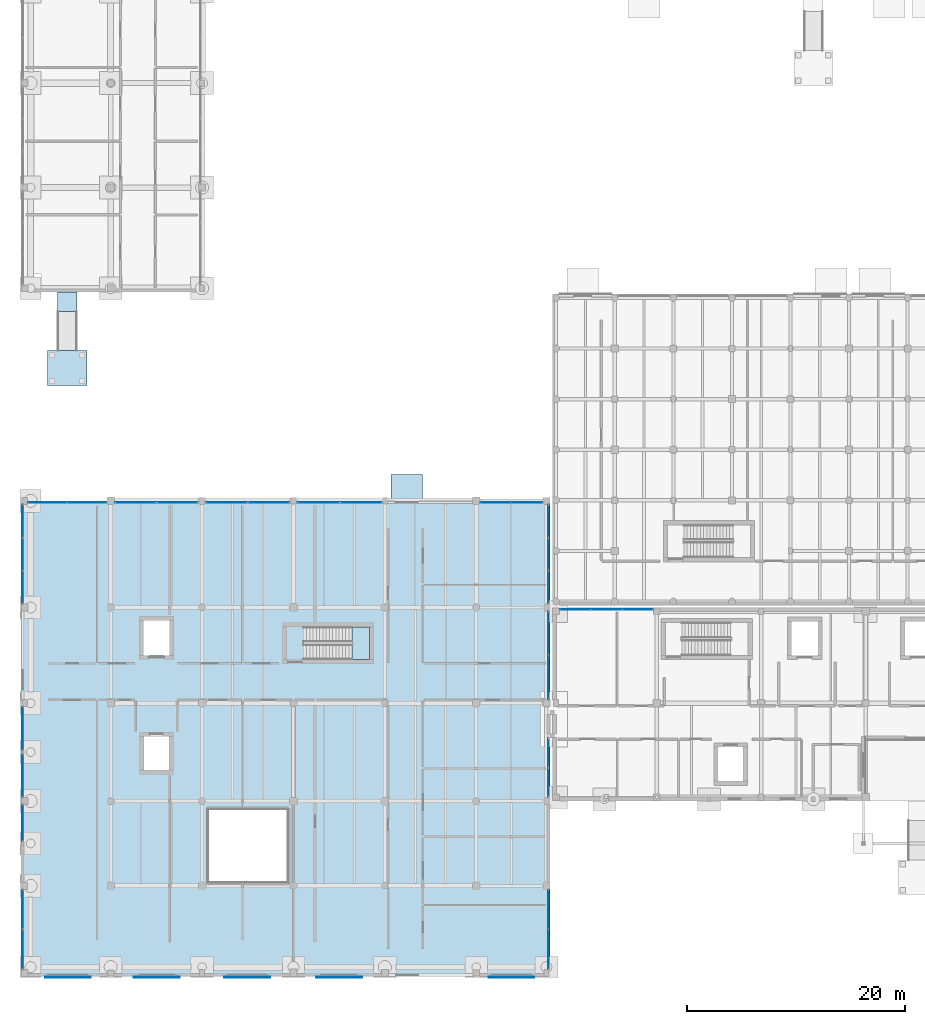
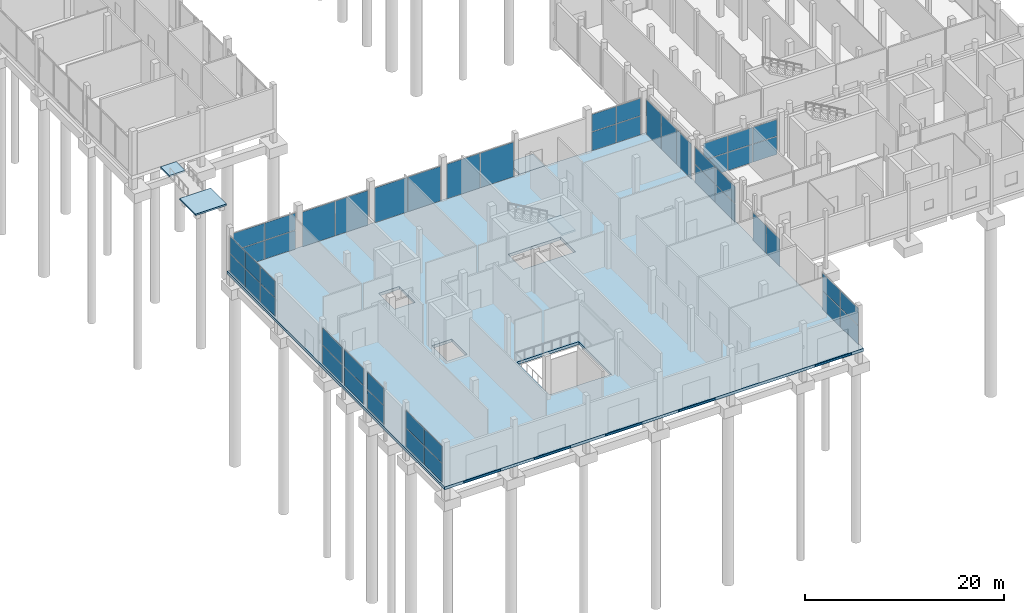
# One storey, part 48 of 88: 49 plates, 10 slabs, 17 elements without a shape of their own.
"""IFC4 building model written with IfcOpenShell, lengths in metres."""

from ifc_helpers import new_model, si_unit, direction, frame, origin, origin_2d, place, context, subcontext, project, spatial, polyline, rectangle, outline, extrude, material, layer, layer_set, type_object, element, aggregate, save


model = new_model("IFC4")

# Units and contexts
model_context = context("Model", 3, precision=1e-05, world=origin(), true_north=direction((0.0, 1.0)))
body_context = subcontext(model_context, "Body", "Model", "MODEL_VIEW")
ifc_project = project(units=[si_unit("LENGTHUNIT", "METRE"), si_unit("AREAUNIT", "SQUARE_METRE"), si_unit("VOLUMEUNIT", "CUBIC_METRE"), si_unit("PLANEANGLEUNIT", "RADIAN"), si_unit("MASSUNIT", "GRAM", prefix="KILO")], contexts=[model_context])

# Site, building, storey
site_placement = place(None, origin())
site = spatial("IfcSite", under=ifc_project, at=site_placement, CompositionType="ELEMENT")
building_placement = place(site_placement, origin())
building = spatial("IfcBuilding", under=site, at=building_placement, Name="Birchvale Park Specialist Clinic", CompositionType="ELEMENT")
storey_placement = place(building_placement, origin())
storey = spatial("IfcBuildingStorey", under=building, at=storey_placement, Name="L00", CompositionType="ELEMENT", Elevation=0.0)

# Curtain wall, plates
ifc_material_1 = material(Name="Thermally broken anodised aluminium", Category="aluminium")
ifc_layer_1 = layer(ifc_material_1, 0.179931640625)
ifc_layer_set_1 = layer_set([ifc_layer_1], Name="Thermally broken anodised aluminium")
curtain_wall_type_1 = type_object("IfcCurtainWallType", Name="CW-U1", PredefinedType="USERDEFINED", material=ifc_layer_set_1)
curtain_wall_1_placement = place(storey_placement, origin())
curtain_wall_1 = element("IfcCurtainWall", 1, at=curtain_wall_1_placement, inside=storey, type_object=curtain_wall_type_1, Name="V4 L00 glazed curtain wall 45", ObjectType="UNITISED", PredefinedType="USERDEFINED")
ifc_material_2 = material(Name="Solar-control low-E double glazing", Category="glass")
ifc_layer_2 = layer(ifc_material_2, 0.028076171875)
ifc_layer_set_2 = layer_set([ifc_layer_2], Name="Solar-control low-E double glazing")
plate_type_1 = type_object("IfcPlateType", Name="CWP1", PredefinedType="CURTAIN_PANEL", material=ifc_layer_set_2)
plate_1_placement = place(storey_placement, frame((59.654052734375, 34.409912109375, 0.06005859375), z_axis=(0.0, 0.0, 1.0), x_axis=(-1.0, 0.0, 0.0)))
plate_1 = element("IfcPlate", 2, at=plate_1_placement, type_object=plate_type_1, Name="CW panel 1.1", PredefinedType="CURTAIN_PANEL", context=body_context, shape_type="SweptSolid", body=[
    extrude(rectangle(XDim=2.791748046875, YDim=0.028076171875, at=origin_2d()), origin(), (0.0, 0.0, 1.0), 2.205810546875),
])
plate_2_placement = place(storey_placement, frame((59.654052734375, 34.409912109375, 2.32568359375), z_axis=(0.0, 0.0, 1.0), x_axis=(-1.0, 0.0, 0.0)))
plate_2 = element("IfcPlate", 3, at=plate_2_placement, type_object=plate_type_1, Name="CW panel 1.2", PredefinedType="CURTAIN_PANEL", context=body_context, shape_type="SweptSolid", body=[
    extrude(rectangle(XDim=2.791748046875, YDim=0.028076171875, at=origin_2d()), origin(), (0.0, 0.0, 1.0), 2.029296875),
])
plate_3_placement = place(storey_placement, frame((56.78759765625, 34.409912109375, 0.06005859375), z_axis=(0.0, 0.0, 1.0), x_axis=(-1.0, 0.0, 0.0)))
plate_3 = element("IfcPlate", 4, at=plate_3_placement, type_object=plate_type_1, Name="CW panel 2.1", PredefinedType="CURTAIN_PANEL", context=body_context, shape_type="SweptSolid", body=[
    extrude(rectangle(XDim=2.82177734375, YDim=0.028076171875, at=origin_2d()), origin(), (0.0, 0.0, 1.0), 2.205810546875),
])
plate_4_placement = place(storey_placement, frame((56.78759765625, 34.409912109375, 2.32568359375), z_axis=(0.0, 0.0, 1.0), x_axis=(-1.0, 0.0, 0.0)))
plate_4 = element("IfcPlate", 5, at=plate_4_placement, type_object=plate_type_1, Name="CW panel 2.2", PredefinedType="CURTAIN_PANEL", context=body_context, shape_type="SweptSolid", body=[
    extrude(rectangle(XDim=2.82177734375, YDim=0.028076171875, at=origin_2d()), origin(), (0.0, 0.0, 1.0), 2.029296875),
])
plate_5_placement = place(storey_placement, frame((53.9208984375, 34.409912109375, 0.06005859375), z_axis=(0.0, 0.0, 1.0), x_axis=(-1.0, 0.0, 0.0)))
plate_5 = element("IfcPlate", 6, at=plate_5_placement, type_object=plate_type_1, Name="CW panel 3.1", PredefinedType="CURTAIN_PANEL", context=body_context, shape_type="SweptSolid", body=[
    extrude(rectangle(XDim=2.791748046875, YDim=0.028076171875, at=origin_2d()), origin(), (0.0, 0.0, 1.0), 2.205810546875),
])
plate_6_placement = place(storey_placement, frame((53.9208984375, 34.409912109375, 2.32568359375), z_axis=(0.0, 0.0, 1.0), x_axis=(-1.0, 0.0, 0.0)))
plate_6 = element("IfcPlate", 7, at=plate_6_placement, type_object=plate_type_1, Name="CW panel 3.2", PredefinedType="CURTAIN_PANEL", context=body_context, shape_type="SweptSolid", body=[
    extrude(rectangle(XDim=2.791748046875, YDim=0.028076171875, at=origin_2d()), origin(), (0.0, 0.0, 1.0), 2.029296875),
])
aggregate(curtain_wall_1, [plate_1, plate_2, plate_3, plate_4, plate_5, plate_6])

ifc_layer_3 = layer(ifc_material_1, 0.195068359375)
ifc_layer_set_3 = layer_set([ifc_layer_3], Name="Thermally broken anodised aluminium")
curtain_wall_type_2 = type_object("IfcCurtainWallType", Name="CW-U2", PredefinedType="USERDEFINED", material=ifc_layer_set_3)
curtain_wall_2_placement = place(storey_placement, origin())
curtain_wall_2 = element("IfcCurtainWall", 8, at=curtain_wall_2_placement, inside=storey, type_object=curtain_wall_type_2, Name="V2 L00 glazed curtain wall 10", ObjectType="UNITISED", PredefinedType="USERDEFINED")
ifc_layer_4 = layer(ifc_material_2, 0.031982421875)
ifc_layer_set_4 = layer_set([ifc_layer_4], Name="Solar-control low-E double glazing")
plate_type_2 = type_object("IfcPlateType", Name="CWP2", PredefinedType="CURTAIN_PANEL", material=ifc_layer_set_4)
plate_7_placement = place(storey_placement, frame((51.445068359375, 3.173828125, 0.06494140625), z_axis=(0.0, 0.0, 1.0), x_axis=(0.0, 1.0, 0.0)))
plate_7 = element("IfcPlate", 9, at=plate_7_placement, type_object=plate_type_2, Name="CW panel 1.1", PredefinedType="CURTAIN_PANEL", context=body_context, shape_type="SweptSolid", body=[
    extrude(rectangle(XDim=3.58740234375, YDim=0.031982421875, at=origin_2d()), origin(), (0.0, 0.0, 1.0), 2.27880859375),
])
plate_8_placement = place(storey_placement, frame((51.445068359375, 3.173828125, 2.408935546875), z_axis=(0.0, 0.0, 1.0), x_axis=(0.0, 1.0, 0.0)))
plate_8 = element("IfcPlate", 10, at=plate_8_placement, type_object=plate_type_2, Name="CW panel 1.2", PredefinedType="CURTAIN_PANEL", context=body_context, shape_type="SweptSolid", body=[
    extrude(rectangle(XDim=3.58740234375, YDim=0.031982421875, at=origin_2d()), origin(), (0.0, 0.0, 1.0), 2.09619140625),
])
plate_9_placement = place(storey_placement, frame((51.445068359375, 6.826171875, 0.06494140625), z_axis=(0.0, 0.0, 1.0), x_axis=(0.0, 1.0, 0.0)))
plate_9 = element("IfcPlate", 11, at=plate_9_placement, type_object=plate_type_2, Name="CW panel 2.1", PredefinedType="CURTAIN_PANEL", context=body_context, shape_type="SweptSolid", body=[
    extrude(rectangle(XDim=3.58740234375, YDim=0.031982421875, at=origin_2d()), origin(), (0.0, 0.0, 1.0), 2.27880859375),
])
plate_10_placement = place(storey_placement, frame((51.445068359375, 6.826171875, 2.408935546875), z_axis=(0.0, 0.0, 1.0), x_axis=(0.0, 1.0, 0.0)))
plate_10 = element("IfcPlate", 12, at=plate_10_placement, type_object=plate_type_2, Name="CW panel 2.2", PredefinedType="CURTAIN_PANEL", context=body_context, shape_type="SweptSolid", body=[
    extrude(rectangle(XDim=3.58740234375, YDim=0.031982421875, at=origin_2d()), origin(), (0.0, 0.0, 1.0), 2.09619140625),
])
aggregate(curtain_wall_2, [plate_7, plate_8, plate_9, plate_10])

curtain_wall_3_placement = place(storey_placement, origin())
curtain_wall_3 = element("IfcCurtainWall", 13, at=curtain_wall_3_placement, inside=storey, type_object=curtain_wall_type_2, Name="V2 L00 glazed curtain wall 11", ObjectType="UNITISED", PredefinedType="USERDEFINED")
plate_11_placement = place(storey_placement, frame((51.445068359375, 18.5087890625, 0.06494140625), z_axis=(0.0, 0.0, 1.0), x_axis=(0.0, 1.0, 0.0)))
plate_11 = element("IfcPlate", 14, at=plate_11_placement, type_object=plate_type_2, Name="CW panel 1.1", PredefinedType="CURTAIN_PANEL", context=body_context, shape_type="SweptSolid", body=[
    extrude(rectangle(XDim=2.657470703125, YDim=0.031982421875, at=origin_2d()), origin(), (0.0, 0.0, 1.0), 3.3779296875),
])
plate_12_placement = place(storey_placement, frame((51.445068359375, 21.231201171875, 0.06494140625), z_axis=(0.0, 0.0, 1.0), x_axis=(0.0, 1.0, 0.0)))
plate_12 = element("IfcPlate", 15, at=plate_12_placement, type_object=plate_type_2, Name="CW panel 2.1", PredefinedType="CURTAIN_PANEL", context=body_context, shape_type="SweptSolid", body=[
    extrude(rectangle(XDim=2.657470703125, YDim=0.031982421875, at=origin_2d()), origin(), (0.0, 0.0, 1.0), 3.3779296875),
])
aggregate(curtain_wall_3, [plate_11, plate_12])

curtain_wall_4_placement = place(storey_placement, origin())
curtain_wall_4 = element("IfcCurtainWall", 16, at=curtain_wall_4_placement, inside=storey, type_object=curtain_wall_type_2, Name="V2 L00 glazed curtain wall 12", ObjectType="UNITISED", PredefinedType="USERDEFINED")
plate_13_placement = place(storey_placement, frame((51.445068359375, 28.173828125, 0.06494140625), z_axis=(0.0, 0.0, 1.0), x_axis=(0.0, 1.0, 0.0)))
plate_13 = element("IfcPlate", 17, at=plate_13_placement, type_object=plate_type_2, Name="CW panel 1.1", PredefinedType="CURTAIN_PANEL", context=body_context, shape_type="SweptSolid", body=[
    extrude(rectangle(XDim=3.987548828125, YDim=0.031982421875, at=origin_2d()), origin(), (0.0, 0.0, 1.0), 2.239990234375),
])
plate_14_placement = place(storey_placement, frame((51.445068359375, 28.173828125, 2.369873046875), z_axis=(0.0, 0.0, 1.0), x_axis=(0.0, 1.0, 0.0)))
plate_14 = element("IfcPlate", 18, at=plate_14_placement, type_object=plate_type_2, Name="CW panel 1.2", PredefinedType="CURTAIN_PANEL", context=body_context, shape_type="SweptSolid", body=[
    extrude(rectangle(XDim=3.987548828125, YDim=0.031982421875, at=origin_2d()), origin(), (0.0, 0.0, 1.0), 2.06005859375),
])
plate_15_placement = place(storey_placement, frame((51.445068359375, 32.226318359375, 0.06494140625), z_axis=(0.0, 0.0, 1.0), x_axis=(0.0, 1.0, 0.0)))
plate_15 = element("IfcPlate", 19, at=plate_15_placement, type_object=plate_type_2, Name="CW panel 2.1", PredefinedType="CURTAIN_PANEL", context=body_context, shape_type="SweptSolid", body=[
    extrude(rectangle(XDim=3.987548828125, YDim=0.031982421875, at=origin_2d()), origin(), (0.0, 0.0, 1.0), 2.239990234375),
])
plate_16_placement = place(storey_placement, frame((51.445068359375, 32.226318359375, 2.369873046875), z_axis=(0.0, 0.0, 1.0), x_axis=(0.0, 1.0, 0.0)))
plate_16 = element("IfcPlate", 20, at=plate_16_placement, type_object=plate_type_2, Name="CW panel 2.2", PredefinedType="CURTAIN_PANEL", context=body_context, shape_type="SweptSolid", body=[
    extrude(rectangle(XDim=3.987548828125, YDim=0.031982421875, at=origin_2d()), origin(), (0.0, 0.0, 1.0), 2.06005859375),
])
aggregate(curtain_wall_4, [plate_13, plate_14, plate_15, plate_16])

curtain_wall_5_placement = place(storey_placement, origin())
curtain_wall_5 = element("IfcCurtainWall", 21, at=curtain_wall_5_placement, inside=storey, type_object=curtain_wall_type_2, Name="V2 L00 glazed curtain wall 13", ObjectType="UNITISED", PredefinedType="USERDEFINED")
plate_17_placement = place(storey_placement, frame((51.445068359375, 36.45947265625, 0.06494140625), z_axis=(0.0, 0.0, 1.0), x_axis=(0.0, 1.0, 0.0)))
plate_17 = element("IfcPlate", 22, at=plate_17_placement, type_object=plate_type_2, Name="CW panel 1.1", PredefinedType="CURTAIN_PANEL", context=body_context, shape_type="SweptSolid", body=[
    extrude(rectangle(XDim=2.959228515625, YDim=0.031982421875, at=origin_2d()), origin(), (0.0, 0.0, 1.0), 4.264892578125),
])
plate_18_placement = place(storey_placement, frame((51.445068359375, 39.5, 0.06494140625), z_axis=(0.0, 0.0, 1.0), x_axis=(0.0, 1.0, 0.0)))
plate_18 = element("IfcPlate", 23, at=plate_18_placement, type_object=plate_type_2, Name="CW panel 2.1", PredefinedType="CURTAIN_PANEL", context=body_context, shape_type="SweptSolid", body=[
    extrude(rectangle(XDim=2.99169921875, YDim=0.031982421875, at=origin_2d()), origin(), (0.0, 0.0, 1.0), 4.264892578125),
])
plate_19_placement = place(storey_placement, frame((51.445068359375, 42.54052734375, 0.06494140625), z_axis=(0.0, 0.0, 1.0), x_axis=(0.0, 1.0, 0.0)))
plate_19 = element("IfcPlate", 24, at=plate_19_placement, type_object=plate_type_2, Name="CW panel 3.1", PredefinedType="CURTAIN_PANEL", context=body_context, shape_type="SweptSolid", body=[
    extrude(rectangle(XDim=2.959228515625, YDim=0.031982421875, at=origin_2d()), origin(), (0.0, 0.0, 1.0), 4.264892578125),
])
aggregate(curtain_wall_5, [plate_17, plate_18, plate_19])

curtain_wall_6_placement = place(storey_placement, origin())
curtain_wall_6 = element("IfcCurtainWall", 25, at=curtain_wall_6_placement, inside=storey, type_object=curtain_wall_type_2, Name="V2 L00 glazed curtain wall 14", ObjectType="UNITISED", PredefinedType="USERDEFINED")
plate_20_placement = place(storey_placement, frame((49.472412109375, 44.2451171875, 0.06494140625), z_axis=(0.0, 0.0, 1.0), x_axis=(-1.0, 0.0, 0.0)))
plate_20 = element("IfcPlate", 26, at=plate_20_placement, type_object=plate_type_2, Name="CW panel 1.1", PredefinedType="CURTAIN_PANEL", context=body_context, shape_type="SweptSolid", body=[
    extrude(rectangle(XDim=2.794921875, YDim=0.031982421875, at=origin_2d()), origin(), (0.0, 0.0, 1.0), 2.28662109375),
])
plate_21_placement = place(storey_placement, frame((49.472412109375, 44.2451171875, 2.41650390625), z_axis=(0.0, 0.0, 1.0), x_axis=(-1.0, 0.0, 0.0)))
plate_21 = element("IfcPlate", 27, at=plate_21_placement, type_object=plate_type_2, Name="CW panel 1.2", PredefinedType="CURTAIN_PANEL", context=body_context, shape_type="SweptSolid", body=[
    extrude(rectangle(XDim=2.794921875, YDim=0.031982421875, at=origin_2d()), origin(), (0.0, 0.0, 1.0), 2.103271484375),
])
plate_22_placement = place(storey_placement, frame((46.612548828125, 44.2451171875, 0.06494140625), z_axis=(0.0, 0.0, 1.0), x_axis=(-1.0, 0.0, 0.0)))
plate_22 = element("IfcPlate", 28, at=plate_22_placement, type_object=plate_type_2, Name="CW panel 2.1", PredefinedType="CURTAIN_PANEL", context=body_context, shape_type="SweptSolid", body=[
    extrude(rectangle(XDim=2.794921875, YDim=0.031982421875, at=origin_2d()), origin(), (0.0, 0.0, 1.0), 2.28662109375),
])
plate_23_placement = place(storey_placement, frame((46.612548828125, 44.2451171875, 2.41650390625), z_axis=(0.0, 0.0, 1.0), x_axis=(-1.0, 0.0, 0.0)))
plate_23 = element("IfcPlate", 29, at=plate_23_placement, type_object=plate_type_2, Name="CW panel 2.2", PredefinedType="CURTAIN_PANEL", context=body_context, shape_type="SweptSolid", body=[
    extrude(rectangle(XDim=2.794921875, YDim=0.031982421875, at=origin_2d()), origin(), (0.0, 0.0, 1.0), 2.103271484375),
])
aggregate(curtain_wall_6, [plate_20, plate_21, plate_22, plate_23])

curtain_wall_7_placement = place(storey_placement, origin())
curtain_wall_7 = element("IfcCurtainWall", 30, at=curtain_wall_7_placement, inside=storey, type_object=curtain_wall_type_2, Name="V2 L00 glazed curtain wall 15", ObjectType="UNITISED", PredefinedType="USERDEFINED")
plate_24_placement = place(storey_placement, frame((34.18994140625, 44.2451171875, 0.06494140625), z_axis=(0.0, 0.0, 1.0), x_axis=(-1.0, 0.0, 0.0)))
plate_24 = element("IfcPlate", 31, at=plate_24_placement, type_object=plate_type_2, Name="CW panel 1.1", PredefinedType="CURTAIN_PANEL", context=body_context, shape_type="SweptSolid", body=[
    extrude(rectangle(XDim=3.840087890625, YDim=0.031982421875, at=origin_2d()), origin(), (0.0, 0.0, 1.0), 4.2548828125),
])
plate_25_placement = place(storey_placement, frame((30.284912109375, 44.2451171875, 0.06494140625), z_axis=(0.0, 0.0, 1.0), x_axis=(-1.0, 0.0, 0.0)))
plate_25 = element("IfcPlate", 32, at=plate_25_placement, type_object=plate_type_2, Name="CW panel 2.1", PredefinedType="CURTAIN_PANEL", context=body_context, shape_type="SweptSolid", body=[
    extrude(rectangle(XDim=3.840087890625, YDim=0.031982421875, at=origin_2d()), origin(), (0.0, 0.0, 1.0), 4.2548828125),
])
aggregate(curtain_wall_7, [plate_24, plate_25])

curtain_wall_8_placement = place(storey_placement, origin())
curtain_wall_8 = element("IfcCurtainWall", 33, at=curtain_wall_8_placement, inside=storey, type_object=curtain_wall_type_2, Name="V2 L00 glazed curtain wall 16", ObjectType="UNITISED", PredefinedType="USERDEFINED")
plate_26_placement = place(storey_placement, frame((25.739990234375, 44.2451171875, 0.06494140625), z_axis=(0.0, 0.0, 1.0), x_axis=(-1.0, 0.0, 0.0)))
plate_26 = element("IfcPlate", 34, at=plate_26_placement, type_object=plate_type_2, Name="CW panel 1.1", PredefinedType="CURTAIN_PANEL", context=body_context, shape_type="SweptSolid", body=[
    extrude(rectangle(XDim=3.7900390625, YDim=0.031982421875, at=origin_2d()), origin(), (0.0, 0.0, 1.0), 4.2548828125),
])
plate_27_placement = place(storey_placement, frame((21.885009765625, 44.2451171875, 0.06494140625), z_axis=(0.0, 0.0, 1.0), x_axis=(-1.0, 0.0, 0.0)))
plate_27 = element("IfcPlate", 35, at=plate_27_placement, type_object=plate_type_2, Name="CW panel 2.1", PredefinedType="CURTAIN_PANEL", context=body_context, shape_type="SweptSolid", body=[
    extrude(rectangle(XDim=3.7900390625, YDim=0.031982421875, at=origin_2d()), origin(), (0.0, 0.0, 1.0), 4.2548828125),
])
aggregate(curtain_wall_8, [plate_26, plate_27])

curtain_wall_9_placement = place(storey_placement, origin())
curtain_wall_9 = element("IfcCurtainWall", 36, at=curtain_wall_9_placement, inside=storey, type_object=curtain_wall_type_2, Name="V2 L00 glazed curtain wall 17", ObjectType="UNITISED", PredefinedType="USERDEFINED")
plate_28_placement = place(storey_placement, frame((17.327392578125, 44.2451171875, 0.06494140625), z_axis=(0.0, 0.0, 1.0), x_axis=(-1.0, 0.0, 0.0)))
plate_28 = element("IfcPlate", 37, at=plate_28_placement, type_object=plate_type_2, Name="CW panel 1.1", PredefinedType="CURTAIN_PANEL", context=body_context, shape_type="SweptSolid", body=[
    extrude(rectangle(XDim=3.764892578125, YDim=0.031982421875, at=origin_2d()), origin(), (0.0, 0.0, 1.0), 4.2548828125),
])
plate_29_placement = place(storey_placement, frame((13.49755859375, 44.2451171875, 0.06494140625), z_axis=(0.0, 0.0, 1.0), x_axis=(-1.0, 0.0, 0.0)))
plate_29 = element("IfcPlate", 38, at=plate_29_placement, type_object=plate_type_2, Name="CW panel 2.1", PredefinedType="CURTAIN_PANEL", context=body_context, shape_type="SweptSolid", body=[
    extrude(rectangle(XDim=3.764892578125, YDim=0.031982421875, at=origin_2d()), origin(), (0.0, 0.0, 1.0), 4.2548828125),
])
aggregate(curtain_wall_9, [plate_28, plate_29])

curtain_wall_10_placement = place(storey_placement, origin())
curtain_wall_10 = element("IfcCurtainWall", 39, at=curtain_wall_10_placement, inside=storey, type_object=curtain_wall_type_2, Name="V2 L00 glazed curtain wall 18", ObjectType="UNITISED", PredefinedType="USERDEFINED")
plate_30_placement = place(storey_placement, frame((9.0048828125, 44.2451171875, 0.06494140625), z_axis=(0.0, 0.0, 1.0), x_axis=(-1.0, 0.0, 0.0)))
plate_30 = element("IfcPlate", 40, at=plate_30_placement, type_object=plate_type_2, Name="CW panel 1.1", PredefinedType="CURTAIN_PANEL", context=body_context, shape_type="SweptSolid", body=[
    extrude(rectangle(XDim=3.56005859375, YDim=0.031982421875, at=origin_2d()), origin(), (0.0, 0.0, 1.0), 2.273681640625),
])
plate_31_placement = place(storey_placement, frame((9.0048828125, 44.2451171875, 2.40380859375), z_axis=(0.0, 0.0, 1.0), x_axis=(-1.0, 0.0, 0.0)))
plate_31 = element("IfcPlate", 41, at=plate_31_placement, type_object=plate_type_2, Name="CW panel 1.2", PredefinedType="CURTAIN_PANEL", context=body_context, shape_type="SweptSolid", body=[
    extrude(rectangle(XDim=3.56005859375, YDim=0.031982421875, at=origin_2d()), origin(), (0.0, 0.0, 1.0), 2.09130859375),
])
plate_32_placement = place(storey_placement, frame((5.3798828125, 44.2451171875, 0.06494140625), z_axis=(0.0, 0.0, 1.0), x_axis=(-1.0, 0.0, 0.0)))
plate_32 = element("IfcPlate", 42, at=plate_32_placement, type_object=plate_type_2, Name="CW panel 2.1", PredefinedType="CURTAIN_PANEL", context=body_context, shape_type="SweptSolid", body=[
    extrude(rectangle(XDim=3.56005859375, YDim=0.031982421875, at=origin_2d()), origin(), (0.0, 0.0, 1.0), 2.273681640625),
])
plate_33_placement = place(storey_placement, frame((5.3798828125, 44.2451171875, 2.40380859375), z_axis=(0.0, 0.0, 1.0), x_axis=(-1.0, 0.0, 0.0)))
plate_33 = element("IfcPlate", 43, at=plate_33_placement, type_object=plate_type_2, Name="CW panel 2.2", PredefinedType="CURTAIN_PANEL", context=body_context, shape_type="SweptSolid", body=[
    extrude(rectangle(XDim=3.56005859375, YDim=0.031982421875, at=origin_2d()), origin(), (0.0, 0.0, 1.0), 2.09130859375),
])
aggregate(curtain_wall_10, [plate_30, plate_31, plate_32, plate_33])

curtain_wall_11_placement = place(storey_placement, origin())
curtain_wall_11 = element("IfcCurtainWall", 44, at=curtain_wall_11_placement, inside=storey, type_object=curtain_wall_type_2, Name="V2 L00 glazed curtain wall 19", ObjectType="UNITISED", PredefinedType="USERDEFINED")
plate_34_placement = place(storey_placement, frame((3.10498046875, 42.54052734375, 0.06494140625), z_axis=(0.0, 0.0, 1.0), x_axis=(0.0, -1.0, 0.0)))
plate_34 = element("IfcPlate", 45, at=plate_34_placement, type_object=plate_type_2, Name="CW panel 1.1", PredefinedType="CURTAIN_PANEL", context=body_context, shape_type="SweptSolid", body=[
    extrude(rectangle(XDim=2.959228515625, YDim=0.031982421875, at=origin_2d()), origin(), (0.0, 0.0, 1.0), 2.226806640625),
])
plate_35_placement = place(storey_placement, frame((3.10498046875, 42.54052734375, 2.35693359375), z_axis=(0.0, 0.0, 1.0), x_axis=(0.0, -1.0, 0.0)))
plate_35 = element("IfcPlate", 46, at=plate_35_placement, type_object=plate_type_2, Name="CW panel 1.2", PredefinedType="CURTAIN_PANEL", context=body_context, shape_type="SweptSolid", body=[
    extrude(rectangle(XDim=2.959228515625, YDim=0.031982421875, at=origin_2d()), origin(), (0.0, 0.0, 1.0), 2.048095703125),
])
plate_36_placement = place(storey_placement, frame((3.10498046875, 39.5, 0.06494140625), z_axis=(0.0, 0.0, 1.0), x_axis=(0.0, -1.0, 0.0)))
plate_36 = element("IfcPlate", 47, at=plate_36_placement, type_object=plate_type_2, Name="CW panel 2.1", PredefinedType="CURTAIN_PANEL", context=body_context, shape_type="SweptSolid", body=[
    extrude(rectangle(XDim=2.99169921875, YDim=0.031982421875, at=origin_2d()), origin(), (0.0, 0.0, 1.0), 2.226806640625),
])
plate_37_placement = place(storey_placement, frame((3.10498046875, 39.5, 2.35693359375), z_axis=(0.0, 0.0, 1.0), x_axis=(0.0, -1.0, 0.0)))
plate_37 = element("IfcPlate", 48, at=plate_37_placement, type_object=plate_type_2, Name="CW panel 2.2", PredefinedType="CURTAIN_PANEL", context=body_context, shape_type="SweptSolid", body=[
    extrude(rectangle(XDim=2.99169921875, YDim=0.031982421875, at=origin_2d()), origin(), (0.0, 0.0, 1.0), 2.048095703125),
])
plate_38_placement = place(storey_placement, frame((3.10498046875, 36.45947265625, 0.06494140625), z_axis=(0.0, 0.0, 1.0), x_axis=(0.0, -1.0, 0.0)))
plate_38 = element("IfcPlate", 49, at=plate_38_placement, type_object=plate_type_2, Name="CW panel 3.1", PredefinedType="CURTAIN_PANEL", context=body_context, shape_type="SweptSolid", body=[
    extrude(rectangle(XDim=2.959228515625, YDim=0.031982421875, at=origin_2d()), origin(), (0.0, 0.0, 1.0), 2.226806640625),
])
plate_39_placement = place(storey_placement, frame((3.10498046875, 36.45947265625, 2.35693359375), z_axis=(0.0, 0.0, 1.0), x_axis=(0.0, -1.0, 0.0)))
plate_39 = element("IfcPlate", 50, at=plate_39_placement, type_object=plate_type_2, Name="CW panel 3.2", PredefinedType="CURTAIN_PANEL", context=body_context, shape_type="SweptSolid", body=[
    extrude(rectangle(XDim=2.959228515625, YDim=0.031982421875, at=origin_2d()), origin(), (0.0, 0.0, 1.0), 2.048095703125),
])
aggregate(curtain_wall_11, [plate_34, plate_35, plate_36, plate_37, plate_38, plate_39])

curtain_wall_12_placement = place(storey_placement, origin())
curtain_wall_12 = element("IfcCurtainWall", 51, at=curtain_wall_12_placement, inside=storey, type_object=curtain_wall_type_2, Name="V2 L00 glazed curtain wall 20", ObjectType="UNITISED", PredefinedType="USERDEFINED")
plate_40_placement = place(storey_placement, frame((3.10498046875, 23.472412109375, 0.06494140625), z_axis=(0.0, 0.0, 1.0), x_axis=(0.0, -1.0, 0.0)))
plate_40 = element("IfcPlate", 52, at=plate_40_placement, type_object=plate_type_2, Name="CW panel 1.1", PredefinedType="CURTAIN_PANEL", context=body_context, shape_type="SweptSolid", body=[
    extrude(rectangle(XDim=3.89501953125, YDim=0.031982421875, at=origin_2d()), origin(), (0.0, 0.0, 1.0), 2.2607421875),
])
plate_41_placement = place(storey_placement, frame((3.10498046875, 23.472412109375, 2.390625), z_axis=(0.0, 0.0, 1.0), x_axis=(0.0, -1.0, 0.0)))
plate_41 = element("IfcPlate", 53, at=plate_41_placement, type_object=plate_type_2, Name="CW panel 1.2", PredefinedType="CURTAIN_PANEL", context=body_context, shape_type="SweptSolid", body=[
    extrude(rectangle(XDim=3.89501953125, YDim=0.031982421875, at=origin_2d()), origin(), (0.0, 0.0, 1.0), 2.079345703125),
])
aggregate(curtain_wall_12, [plate_40, plate_41])

curtain_wall_13_placement = place(storey_placement, origin())
curtain_wall_13 = element("IfcCurtainWall", 54, at=curtain_wall_13_placement, inside=storey, type_object=curtain_wall_type_2, Name="V2 L00 glazed curtain wall 21", ObjectType="UNITISED", PredefinedType="USERDEFINED")
plate_42_placement = place(storey_placement, frame((3.10498046875, 19.12744140625, 0.06494140625), z_axis=(0.0, 0.0, 1.0), x_axis=(0.0, -1.0, 0.0)))
plate_42 = element("IfcPlate", 55, at=plate_42_placement, type_object=plate_type_2, Name="CW panel 1.1", PredefinedType="CURTAIN_PANEL", context=body_context, shape_type="SweptSolid", body=[
    extrude(rectangle(XDim=3.89501953125, YDim=0.031982421875, at=origin_2d()), origin(), (0.0, 0.0, 1.0), 2.2607421875),
])
plate_43_placement = place(storey_placement, frame((3.10498046875, 19.12744140625, 2.390625), z_axis=(0.0, 0.0, 1.0), x_axis=(0.0, -1.0, 0.0)))
plate_43 = element("IfcPlate", 56, at=plate_43_placement, type_object=plate_type_2, Name="CW panel 1.2", PredefinedType="CURTAIN_PANEL", context=body_context, shape_type="SweptSolid", body=[
    extrude(rectangle(XDim=3.89501953125, YDim=0.031982421875, at=origin_2d()), origin(), (0.0, 0.0, 1.0), 2.079345703125),
])
aggregate(curtain_wall_13, [plate_42, plate_43])

curtain_wall_14_placement = place(storey_placement, origin())
curtain_wall_14 = element("IfcCurtainWall", 57, at=curtain_wall_14_placement, inside=storey, type_object=curtain_wall_type_2, Name="V2 L00 glazed curtain wall 22", ObjectType="UNITISED", PredefinedType="USERDEFINED")
plate_44_placement = place(storey_placement, frame((3.10498046875, 14.777587890625, 0.06494140625), z_axis=(0.0, 0.0, 1.0), x_axis=(0.0, -1.0, 0.0)))
plate_44 = element("IfcPlate", 58, at=plate_44_placement, type_object=plate_type_2, Name="CW panel 1.1", PredefinedType="CURTAIN_PANEL", context=body_context, shape_type="SweptSolid", body=[
    extrude(rectangle(XDim=3.284912109375, YDim=0.031982421875, at=origin_2d()), origin(), (0.0, 0.0, 1.0), 2.27880859375),
])
plate_45_placement = place(storey_placement, frame((3.10498046875, 14.777587890625, 2.408935546875), z_axis=(0.0, 0.0, 1.0), x_axis=(0.0, -1.0, 0.0)))
plate_45 = element("IfcPlate", 59, at=plate_45_placement, type_object=plate_type_2, Name="CW panel 1.2", PredefinedType="CURTAIN_PANEL", context=body_context, shape_type="SweptSolid", body=[
    extrude(rectangle(XDim=3.284912109375, YDim=0.031982421875, at=origin_2d()), origin(), (0.0, 0.0, 1.0), 2.09619140625),
])
aggregate(curtain_wall_14, [plate_44, plate_45])

curtain_wall_15_placement = place(storey_placement, origin())
curtain_wall_15 = element("IfcCurtainWall", 60, at=curtain_wall_15_placement, inside=storey, type_object=curtain_wall_type_2, Name="V2 L00 glazed curtain wall 23", ObjectType="UNITISED", PredefinedType="USERDEFINED")
plate_46_placement = place(storey_placement, frame((3.10498046875, 6.826171875, 0.06494140625), z_axis=(0.0, 0.0, 1.0), x_axis=(0.0, -1.0, 0.0)))
plate_46 = element("IfcPlate", 61, at=plate_46_placement, type_object=plate_type_2, Name="CW panel 1.1", PredefinedType="CURTAIN_PANEL", context=body_context, shape_type="SweptSolid", body=[
    extrude(rectangle(XDim=3.58740234375, YDim=0.031982421875, at=origin_2d()), origin(), (0.0, 0.0, 1.0), 2.27880859375),
])
plate_47_placement = place(storey_placement, frame((3.10498046875, 6.826171875, 2.408935546875), z_axis=(0.0, 0.0, 1.0), x_axis=(0.0, -1.0, 0.0)))
plate_47 = element("IfcPlate", 62, at=plate_47_placement, type_object=plate_type_2, Name="CW panel 1.2", PredefinedType="CURTAIN_PANEL", context=body_context, shape_type="SweptSolid", body=[
    extrude(rectangle(XDim=3.58740234375, YDim=0.031982421875, at=origin_2d()), origin(), (0.0, 0.0, 1.0), 2.09619140625),
])
plate_48_placement = place(storey_placement, frame((3.10498046875, 3.173828125, 0.06494140625), z_axis=(0.0, 0.0, 1.0), x_axis=(0.0, -1.0, 0.0)))
plate_48 = element("IfcPlate", 63, at=plate_48_placement, type_object=plate_type_2, Name="CW panel 2.1", PredefinedType="CURTAIN_PANEL", context=body_context, shape_type="SweptSolid", body=[
    extrude(rectangle(XDim=3.58740234375, YDim=0.031982421875, at=origin_2d()), origin(), (0.0, 0.0, 1.0), 2.27880859375),
])
plate_49_placement = place(storey_placement, frame((3.10498046875, 3.173828125, 2.408935546875), z_axis=(0.0, 0.0, 1.0), x_axis=(0.0, -1.0, 0.0)))
plate_49 = element("IfcPlate", 64, at=plate_49_placement, type_object=plate_type_2, Name="CW panel 2.2", PredefinedType="CURTAIN_PANEL", context=body_context, shape_type="SweptSolid", body=[
    extrude(rectangle(XDim=3.58740234375, YDim=0.031982421875, at=origin_2d()), origin(), (0.0, 0.0, 1.0), 2.09619140625),
])
aggregate(curtain_wall_15, [plate_46, plate_47, plate_48, plate_49])

# Slabs
ifc_material_3 = material(Name="Concrete C35/45", Category="concrete")
ifc_layer_5 = layer(ifc_material_3, 0.22998046875)
ifc_layer_set_5 = layer_set([ifc_layer_5], Name="Concrete C35/45")
slab_type_1 = type_object("IfcSlabType", Name="SLB-ES3", PredefinedType="FLOOR", material=ifc_layer_set_5)
slab_1_placement = place(storey_placement, frame((0.0, 0.0, -0.22998046875)))
element("IfcSlab", 65, at=slab_1_placement, inside=storey, type_object=slab_type_1, Name="V2 L00 service gate threshold 1", PredefinedType="FLOOR", context=body_context, shape_type="SweptSolid", body=[
    extrude(outline(polyline([(5.162109375, 0.56005859375), (9.362060546875, 0.56005859375), (9.362060546875, 0.64990234375), (5.162109375, 0.64990234375), (5.162109375, 0.56005859375)])), origin(), (0.0, 0.0, 1.0), 0.22998046875),
])
slab_2_placement = place(storey_placement, frame((0.0, 0.0, -0.22998046875)))
element("IfcSlab", 66, at=slab_2_placement, inside=storey, type_object=slab_type_1, Name="V2 L00 service gate threshold 2", PredefinedType="FLOOR", context=body_context, shape_type="SweptSolid", body=[
    extrude(outline(polyline([(13.326904296875, 0.56005859375), (17.527099609375, 0.56005859375), (17.527099609375, 0.64990234375), (13.326904296875, 0.64990234375), (13.326904296875, 0.56005859375)])), origin(), (0.0, 0.0, 1.0), 0.22998046875),
])
slab_3_placement = place(storey_placement, frame((0.0, 0.0, -0.22998046875)))
element("IfcSlab", 67, at=slab_3_placement, inside=storey, type_object=slab_type_1, Name="V2 L00 service gate threshold 3", PredefinedType="FLOOR", context=body_context, shape_type="SweptSolid", body=[
    extrude(outline(polyline([(21.64697265625, 0.56005859375), (25.847900390625, 0.56005859375), (25.847900390625, 0.64990234375), (21.64697265625, 0.64990234375), (21.64697265625, 0.56005859375)])), origin(), (0.0, 0.0, 1.0), 0.22998046875),
])
slab_4_placement = place(storey_placement, frame((0.0, 0.0, -0.22998046875)))
element("IfcSlab", 68, at=slab_4_placement, inside=storey, type_object=slab_type_1, Name="V2 L00 service gate threshold 4", PredefinedType="FLOOR", context=body_context, shape_type="SweptSolid", body=[
    extrude(outline(polyline([(30.112060546875, 0.56005859375), (34.31201171875, 0.56005859375), (34.31201171875, 0.64990234375), (30.112060546875, 0.64990234375), (30.112060546875, 0.56005859375)])), origin(), (0.0, 0.0, 1.0), 0.22998046875),
])
slab_5_placement = place(storey_placement, frame((0.0, 0.0, -0.22998046875)))
element("IfcSlab", 69, at=slab_5_placement, inside=storey, type_object=slab_type_1, Name="V2 L00 service gate threshold 5", PredefinedType="FLOOR", context=body_context, shape_type="SweptSolid", body=[
    extrude(outline(polyline([(45.952880859375, 0.56005859375), (50.153076171875, 0.56005859375), (50.153076171875, 0.64990234375), (45.952880859375, 0.64990234375), (45.952880859375, 0.56005859375)])), origin(), (0.0, 0.0, 1.0), 0.22998046875),
])
slab_6_placement = place(storey_placement, frame((0.0, 0.0, -0.22998046875)))
element("IfcSlab", 70, at=slab_6_placement, inside=storey, type_object=slab_type_1, Name="V2 L00 exterior exit apron 11", PredefinedType="FLOOR", context=body_context, shape_type="SweptSolid", body=[
    extrude(outline(polyline([(36.9599609375, 44.405029296875), (39.860107421875, 44.405029296875), (39.860107421875, 46.804931640625), (36.9599609375, 46.804931640625), (36.9599609375, 44.405029296875)])), origin(), (0.0, 0.0, 1.0), 0.22998046875),
])
ifc_layer_6 = layer(ifc_material_3, 0.35009765625)
ifc_layer_set_6 = layer_set([ifc_layer_6], Name="Concrete C35/45")
slab_type_2 = type_object("IfcSlabType", Name="SLB-FS1", PredefinedType="FLOOR", material=ifc_layer_set_6)
slab_7_placement = place(storey_placement, frame((0.0, 0.0, -0.35009765625)))
element("IfcSlab", 71, at=slab_7_placement, inside=storey, type_object=slab_type_2, Name="V2 L00 structural slab 1", PredefinedType="FLOOR", context=body_context, shape_type="SweptSolid", body=[
    extrude(outline(polyline([(2.949951171875, 0.64990234375), (51.60009765625, 0.64990234375), (51.60009765625, 44.39990234375), (2.949951171875, 44.39990234375), (2.949951171875, 0.64990234375)]), holes=[polyline([(20.199951171875, 9.39990234375), (27.39990234375, 9.39990234375), (27.39990234375, 16.0), (20.199951171875, 16.0), (20.199951171875, 9.39990234375)]), polyline([(28.905029296875, 29.800048828125), (35.0, 29.800048828125), (35.0, 32.800048828125), (28.905029296875, 32.800048828125), (28.905029296875, 29.800048828125)]), polyline([(14.25, 19.64990234375), (16.550048828125, 19.64990234375), (16.550048828125, 22.75), (14.25, 22.75), (14.25, 19.64990234375)]), polyline([(14.199951171875, 30.199951171875), (16.60009765625, 30.199951171875), (16.60009765625, 33.39990234375), (14.199951171875, 33.39990234375), (14.199951171875, 30.199951171875)])]), origin(), (0.0, 0.0, 1.0), 0.35009765625),
])

# Ramp, slabs
ramp_type = type_object("IfcRampType", Name="RMP-AR1", PredefinedType="STRAIGHT_RUN_RAMP", material=ifc_material_3)
ramp_placement = place(storey_placement, origin())
ramp = element("IfcRamp", 72, at=ramp_placement, inside=storey, type_object=ramp_type, Name="Accessible 1:12 entrance ramp AR-2", PredefinedType="STRAIGHT_RUN_RAMP")
ifc_layer_7 = layer(ifc_material_3, 0.199951171875)
ifc_layer_set_7 = layer_set([ifc_layer_7], Name="Concrete C35/45")
slab_type_3 = type_object("IfcSlabType", Name="SLB-LND1", PredefinedType="LANDING", material=ifc_layer_set_7)
slab_8_placement = place(storey_placement, frame((0.0, 0.0, -0.5)))
slab_8 = element("IfcSlab", 73, at=slab_8_placement, type_object=slab_type_3, Name="Accessible ramp bottom landing AR-2", PredefinedType="LANDING", context=body_context, shape_type="SweptSolid", body=[
    extrude(outline(polyline([(5.39990234375, 55.0), (9.0, 55.0), (9.0, 58.199951171875), (5.39990234375, 58.199951171875), (5.39990234375, 55.0)])), origin(), (0.0, 0.0, 1.0), 0.199951171875),
])
slab_9_placement = place(storey_placement, frame((0.0, 0.0, -0.199951171875)))
slab_9 = element("IfcSlab", 74, at=slab_9_placement, type_object=slab_type_3, Name="Accessible ramp top landing AR-2", PredefinedType="LANDING", context=body_context, shape_type="SweptSolid", body=[
    extrude(outline(polyline([(6.300048828125, 61.800048828125), (8.10009765625, 61.800048828125), (8.10009765625, 63.60009765625), (6.300048828125, 63.60009765625), (6.300048828125, 61.800048828125)])), origin(), (0.0, 0.0, 1.0), 0.199951171875),
])
aggregate(ramp, [slab_8, slab_9])

# Stair, slab
stair_type = type_object("IfcStairType", Name="ST-H54", PredefinedType="HALF_TURN_STAIR", material=ifc_material_3)
stair_placement = place(storey_placement, origin())
stair = element("IfcStair", 75, at=stair_placement, inside=storey, type_object=stair_type, Name="L00 Protected exit stair ST2", PredefinedType="HALF_TURN_STAIR")
slab_10_placement = place(storey_placement, frame((0.0, 0.0, 2.5)))
slab_10 = element("IfcSlab", 76, at=slab_10_placement, type_object=slab_type_3, Name="ST2 landing 1", PredefinedType="LANDING", context=body_context, shape_type="SweptSolid", body=[
    extrude(outline(polyline([(33.39990234375, 29.800048828125), (35.0, 29.800048828125), (35.0, 32.800048828125), (33.39990234375, 32.800048828125), (33.39990234375, 29.800048828125)])), origin(), (0.0, 0.0, 1.0), 0.199951171875),
])
aggregate(stair, [slab_10])

save(model, "model.ifc")
